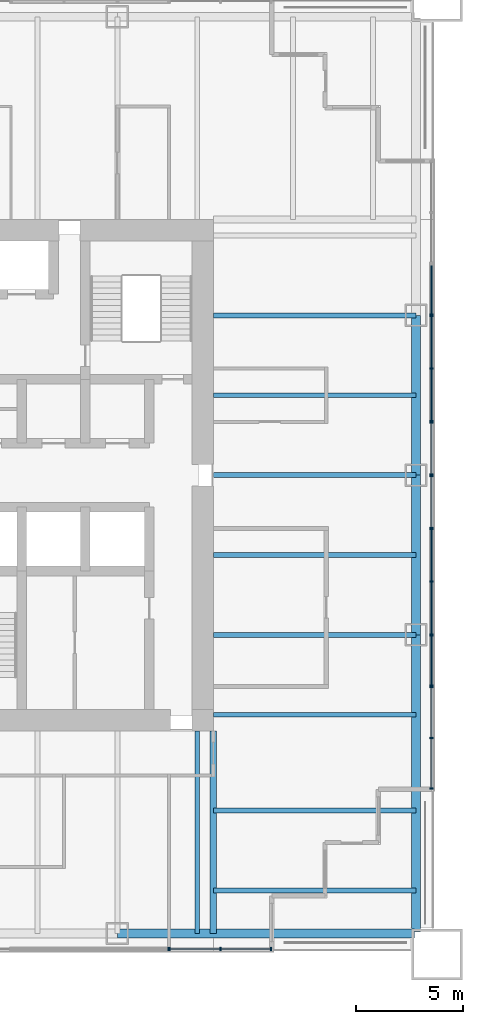
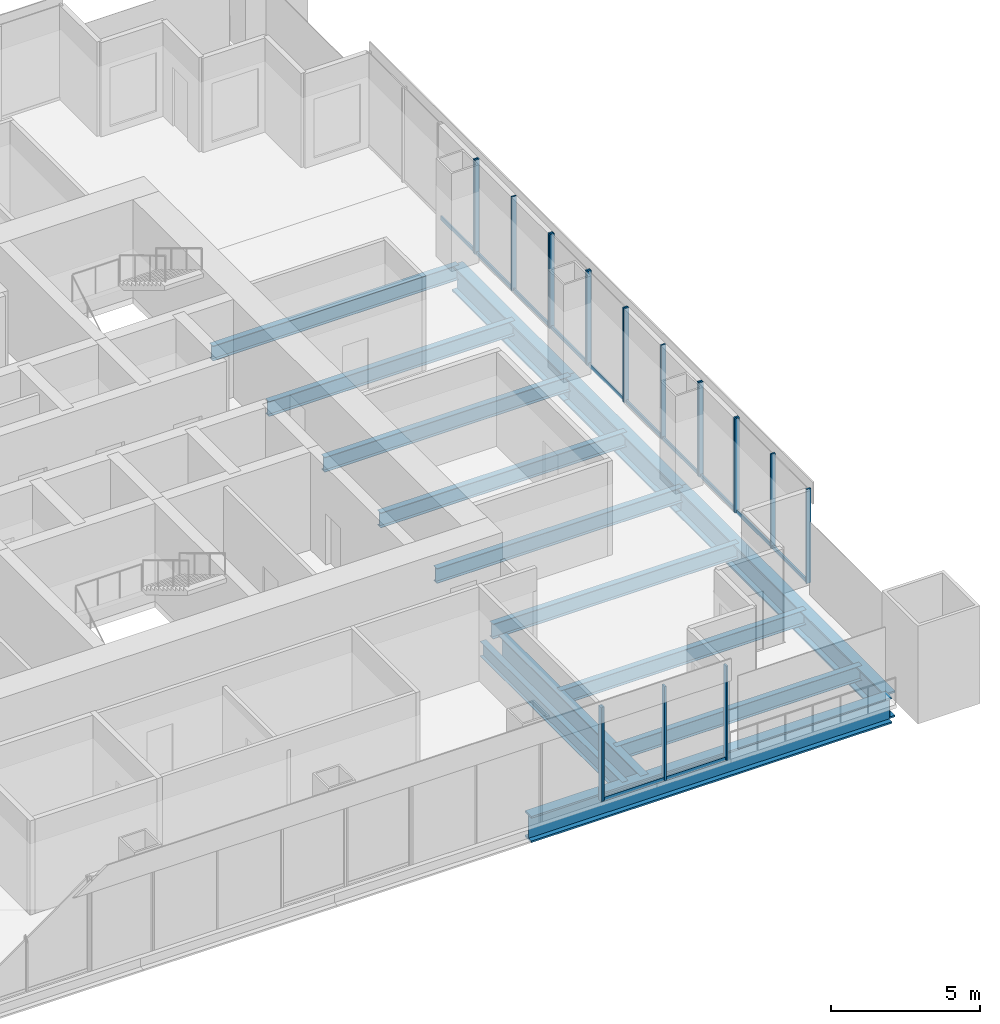
# One storey, part 4 of 13: 32 members, 14 beams, 9 elements without a shape of their own.
"""IFC4 building model written with IfcOpenShell, lengths in metres."""

from ifc_helpers import new_model, si_unit, direction, frame, origin, origin_2d, place, context, subcontext, project, spatial, rectangle, i_section, extrude, material, material_profile, profile_set, type_object, element, aggregate, save


model = new_model("IFC4")

# Units and contexts
model_context = context("Model", 3, precision=1e-05, world=origin(), true_north=direction((0.0, 1.0)))
body_context = subcontext(model_context, "Body", "Model", "MODEL_VIEW")
ifc_project = project(units=[si_unit("LENGTHUNIT", "METRE"), si_unit("AREAUNIT", "SQUARE_METRE"), si_unit("VOLUMEUNIT", "CUBIC_METRE"), si_unit("PLANEANGLEUNIT", "RADIAN"), si_unit("MASSUNIT", "GRAM", prefix="KILO")], contexts=[model_context])

# Site, building, storey
site_placement = place(None, origin())
site = spatial("IfcSite", under=ifc_project, at=site_placement, CompositionType="ELEMENT")
building_placement = place(site_placement, origin())
building = spatial("IfcBuilding", under=site, at=building_placement, Name="Tarangal Relay Tower", CompositionType="ELEMENT")
storey_placement = place(building_placement, frame((0.0, 0.0, 237.89990234375)))
storey = spatial("IfcBuildingStorey", under=building, at=storey_placement, Name="L51", CompositionType="ELEMENT", Elevation=237.89990234375)

# Beams
ifc_material_1 = material(Name="Steel ASTM A992", Category="steel")
ifc_material_profile_1 = material_profile(ifc_material_1, i_section(OverallWidth=0.227783203125, OverallDepth=0.60205078125, WebThickness=0.010498046875, FlangeThickness=0.014892578125, at=origin_2d()), Name="W24X68")
ifc_profile_set_1 = profile_set([ifc_material_profile_1], Name="Steel ASTM A992")
beam_type_1 = type_object("IfcBeamType", Name="Corner beam W24X68", PredefinedType="JOIST", material=ifc_profile_set_1)
for number, where, z_axis, x_axis, name in (
    (1, (12.0, -15.75, -0.450927734375), (1.0, 0.0, 0.0), (0.0, 1.0, 0.0), "Corner beam CB11 E L51"),
    (2, (12.0, -19.5, -0.450927734375), (1.0, 0.0, 0.0), (0.0, 1.0, 0.0), "Corner beam CB11 E L51"),
):
    element("IfcBeam", number, at=place(storey_placement, frame(where, z_axis=z_axis, x_axis=x_axis)), inside=storey, type_object=beam_type_1, Name=name, PredefinedType="JOIST", context=body_context, shape_type="SweptSolid", body=[
        extrude(i_section(OverallWidth=0.227783203125, OverallDepth=0.60205078125, WebThickness=0.010498046875, FlangeThickness=0.014892578125, at=origin_2d()), origin(), (0.0, 0.0, 1.0), 9.514892578125),
    ])
ifc_material_profile_2 = material_profile(ifc_material_1, i_section(OverallWidth=0.307373046875, OverallDepth=0.9423828125, WebThickness=0.022216796875, FlangeThickness=0.039794921875, at=origin_2d()), Name="W36X232")
ifc_profile_set_2 = profile_set([ifc_material_profile_2], Name="Steel ASTM A992")
beam_type_2 = type_object("IfcBeamType", Name="Corner girder W36X232", PredefinedType="BEAM", material=ifc_profile_set_2)
beam_placement = place(storey_placement, frame((12.0, -12.0, -0.62109375), z_axis=(0.0, -1.0, 0.0), x_axis=(1.0, 0.0, 0.0)))
element("IfcBeam", 3, at=beam_placement, inside=storey, type_object=beam_type_2, Name="Corner girder CG4 E L51", PredefinedType="BEAM", context=body_context, shape_type="SweptSolid", body=[
    extrude(i_section(OverallWidth=0.307373046875, OverallDepth=0.9423828125, WebThickness=0.022216796875, FlangeThickness=0.039794921875, at=origin_2d()), origin(), (0.0, 0.0, 1.0), 9.514892578125),
])
ifc_material_profile_3 = material_profile(ifc_material_1, i_section(OverallWidth=0.41650390625, OverallDepth=1.0693359375, WebThickness=0.0390625, FlangeThickness=0.070068359375, at=origin_2d()), Name="W40X503")
ifc_profile_set_3 = profile_set([ifc_material_profile_3], Name="Steel ASTM A992")
beam_type_3 = type_object("IfcBeamType", Name="Edge girder W40X503", PredefinedType="SPANDREL", material=ifc_profile_set_3)
for number, where, z_axis, x_axis, name in (
    (4, (21.514892578125, 7.5, -0.6845703125), (0.0, -1.0, 0.0), (1.0, 0.0, 0.0), "Edge girder EG8 E L51"),
    (5, (21.514892578125, 0.0, -0.6845703125), (0.0, -1.0, 0.0), (1.0, 0.0, 0.0), "Edge girder EG8 E L51"),
):
    element("IfcBeam", number, at=place(storey_placement, frame(where, z_axis=z_axis, x_axis=x_axis)), inside=storey, type_object=beam_type_3, Name=name, PredefinedType="SPANDREL", context=body_context, shape_type="SweptSolid", body=[
        extrude(i_section(OverallWidth=0.41650390625, OverallDepth=1.0693359375, WebThickness=0.0390625, FlangeThickness=0.070068359375, at=origin_2d()), origin(), (0.0, 0.0, 1.0), 7.5),
    ])
for number, where, z_axis, x_axis, name in (
    (6, (21.514892578125, -7.5, -0.6845703125), (0.0, -1.0, 0.0), (1.0, 0.0, 0.0), "Edge girder EG8 E L51"),
    (7, (21.449951171875, -21.514892578125, -0.6845703125), (-1.0, 0.0, 0.0), (0.0, -1.0, 0.0), "Edge girder EG8 S L51"),
):
    element("IfcBeam", number, at=place(storey_placement, frame(where, z_axis=z_axis, x_axis=x_axis)), inside=storey, type_object=beam_type_3, Name=name, PredefinedType="SPANDREL", context=body_context, shape_type="SweptSolid", body=[
        extrude(i_section(OverallWidth=0.41650390625, OverallDepth=1.0693359375, WebThickness=0.0390625, FlangeThickness=0.070068359375, at=origin_2d()), origin(), (0.0, 0.0, 1.0), 13.949951171875),
    ])
ifc_material_profile_4 = material_profile(ifc_material_1, i_section(OverallWidth=0.22900390625, OverallDepth=0.612060546875, WebThickness=0.011962890625, FlangeThickness=0.01953125, at=origin_2d()), Name="W24X84")
ifc_profile_set_4 = profile_set([ifc_material_profile_4], Name="Steel ASTM A992")
beam_type_4 = type_object("IfcBeamType", Name="Floor beam W24X84", PredefinedType="BEAM", material=ifc_profile_set_4)
for number, where, z_axis, x_axis, name in (
    (8, (12.0, 7.5, -0.455810546875), (1.0, 0.0, 0.0), (0.0, 1.0, 0.0), "Floor beam RB12 E L51"),
    (9, (12.0, 3.75, -0.455810546875), (1.0, 0.0, 0.0), (0.0, 1.0, 0.0), "Floor beam RB12 E L51"),
    (10, (12.0, 0.0, -0.455810546875), (1.0, 0.0, 0.0), (0.0, 1.0, 0.0), "Floor beam RB12 E L51"),
    (11, (12.0, -3.75, -0.455810546875), (1.0, 0.0, 0.0), (0.0, 1.0, 0.0), "Floor beam RB12 E L51"),
    (12, (12.0, -7.5, -0.455810546875), (1.0, 0.0, 0.0), (0.0, 1.0, 0.0), "Floor beam RB12 E L51"),
    (13, (12.0, -11.25, -0.455810546875), (1.0, 0.0, 0.0), (0.0, 1.0, 0.0), "Floor beam RB12 E L51"),
    (14, (11.25, -12.0, -0.455810546875), (0.0, -1.0, 0.0), (1.0, 0.0, 0.0), "Floor beam RB12 S L51"),
):
    element("IfcBeam", number, at=place(storey_placement, frame(where, z_axis=z_axis, x_axis=x_axis)), inside=storey, type_object=beam_type_4, Name=name, PredefinedType="BEAM", context=body_context, shape_type="SweptSolid", body=[
        extrude(i_section(OverallWidth=0.22900390625, OverallDepth=0.612060546875, WebThickness=0.011962890625, FlangeThickness=0.01953125, at=origin_2d()), origin(), (0.0, 0.0, 1.0), 9.514892578125),
    ])

# Curtain wall, members
ifc_material_2 = material(Name="Unitised curtain wall, dark glass and black aluminium", Category="aluminium")
curtain_wall_type_1 = type_object("IfcCurtainWallType", Name="Curtain wall CW-A", PredefinedType="USERDEFINED", material=ifc_material_2)
curtain_wall_1_placement = place(storey_placement, origin())
curtain_wall_1 = element("IfcCurtainWall", 15, at=curtain_wall_1_placement, inside=storey, type_object=curtain_wall_type_1, Name="Curtain wall CW-A E facade L51", ObjectType="UNITISED CURTAIN WALL", PredefinedType="USERDEFINED")
ifc_material_3 = material(Name="Black anodised aluminium mullion", Category="aluminium")
ifc_material_profile_5 = material_profile(ifc_material_3, rectangle(XDim=0.175048828125, YDim=0.06494140625, at=origin_2d()), Name="CW-AM 65X175")
ifc_profile_set_5 = profile_set([ifc_material_profile_5], Name="Black anodised aluminium mullion")
member_type_1 = type_object("IfcMemberType", Name="Mullion CW-A 65 x 175", PredefinedType="MULLION", material=ifc_profile_set_5)
member_1_placement = place(storey_placement, frame((22.25, 2.467529296875, 0.0), z_axis=(0.0, 0.0, 1.0), x_axis=(1.0, 0.0, 0.0)))
member_1 = element("IfcMember", 16, at=member_1_placement, type_object=member_type_1, Name="CW-A mullion 1", PredefinedType="MULLION", context=body_context, shape_type="SweptSolid", body=[
    extrude(rectangle(XDim=0.175048828125, YDim=0.06494140625, at=origin_2d()), origin(), (0.0, 0.0, 1.0), 3.85009765625),
])
member_2_placement = place(storey_placement, frame((22.25, 0.032470703125, 0.0), z_axis=(0.0, 0.0, 1.0), x_axis=(1.0, 0.0, 0.0)))
member_2 = element("IfcMember", 17, at=member_2_placement, type_object=member_type_1, Name="CW-A mullion 2", PredefinedType="MULLION", context=body_context, shape_type="SweptSolid", body=[
    extrude(rectangle(XDim=0.175048828125, YDim=0.06494140625, at=origin_2d()), origin(), (0.0, 0.0, 1.0), 3.85009765625),
])

curtain_wall_2_placement = place(storey_placement, origin())
curtain_wall_2 = element("IfcCurtainWall", 18, at=curtain_wall_2_placement, inside=storey, type_object=curtain_wall_type_1, Name="Curtain wall CW-A E facade L51", ObjectType="UNITISED CURTAIN WALL", PredefinedType="USERDEFINED")
member_3_placement = place(storey_placement, frame((22.25, -0.032470703125, 0.0), z_axis=(0.0, 0.0, 1.0), x_axis=(1.0, 0.0, 0.0)))
member_3 = element("IfcMember", 19, at=member_3_placement, type_object=member_type_1, Name="CW-A mullion 1", PredefinedType="MULLION", context=body_context, shape_type="SweptSolid", body=[
    extrude(rectangle(XDim=0.175048828125, YDim=0.06494140625, at=origin_2d()), origin(), (0.0, 0.0, 1.0), 3.85009765625),
])
member_4_placement = place(storey_placement, frame((22.25, -2.467529296875, 0.0), z_axis=(0.0, 0.0, 1.0), x_axis=(1.0, 0.0, 0.0)))
member_4 = element("IfcMember", 20, at=member_4_placement, type_object=member_type_1, Name="CW-A mullion 2", PredefinedType="MULLION", context=body_context, shape_type="SweptSolid", body=[
    extrude(rectangle(XDim=0.175048828125, YDim=0.06494140625, at=origin_2d()), origin(), (0.0, 0.0, 1.0), 3.85009765625),
])

curtain_wall_3_placement = place(storey_placement, origin())
curtain_wall_3 = element("IfcCurtainWall", 21, at=curtain_wall_3_placement, inside=storey, type_object=curtain_wall_type_1, Name="Curtain wall CW-A E facade L51", ObjectType="UNITISED CURTAIN WALL", PredefinedType="USERDEFINED")
member_5_placement = place(storey_placement, frame((22.25, -9.94921875, 0.0), z_axis=(0.0, 0.0, 1.0), x_axis=(1.0, 0.0, 0.0)))
member_5 = element("IfcMember", 22, at=member_5_placement, type_object=member_type_1, Name="CW-A mullion 1", PredefinedType="MULLION", context=body_context, shape_type="SweptSolid", body=[
    extrude(rectangle(XDim=0.175048828125, YDim=0.06494140625, at=origin_2d()), origin(), (0.0, 0.0, 1.0), 3.85009765625),
])
member_6_placement = place(storey_placement, frame((22.25, -12.333251953125, 0.0), z_axis=(0.0, 0.0, 1.0), x_axis=(1.0, 0.0, 0.0)))
member_6 = element("IfcMember", 23, at=member_6_placement, type_object=member_type_1, Name="CW-A mullion 2", PredefinedType="MULLION", context=body_context, shape_type="SweptSolid", body=[
    extrude(rectangle(XDim=0.175048828125, YDim=0.06494140625, at=origin_2d()), origin(), (0.0, 0.0, 1.0), 3.85009765625),
])
member_7_placement = place(storey_placement, frame((22.25, -14.717529296875, 0.0), z_axis=(0.0, 0.0, 1.0), x_axis=(1.0, 0.0, 0.0)))
member_7 = element("IfcMember", 24, at=member_7_placement, type_object=member_type_1, Name="CW-A mullion 3", PredefinedType="MULLION", context=body_context, shape_type="SweptSolid", body=[
    extrude(rectangle(XDim=0.175048828125, YDim=0.06494140625, at=origin_2d()), origin(), (0.0, 0.0, 1.0), 3.85009765625),
])

curtain_wall_4_placement = place(storey_placement, origin())
curtain_wall_4 = element("IfcCurtainWall", 25, at=curtain_wall_4_placement, inside=storey, type_object=curtain_wall_type_1, Name="Curtain wall CW-A S facade L51", ObjectType="UNITISED CURTAIN WALL", PredefinedType="USERDEFINED")
member_8_placement = place(storey_placement, frame((14.717529296875, -22.25, 0.0), z_axis=(0.0, 0.0, 1.0), x_axis=(0.0, -1.0, 0.0)))
member_8 = element("IfcMember", 26, at=member_8_placement, type_object=member_type_1, Name="CW-A mullion 1", PredefinedType="MULLION", context=body_context, shape_type="SweptSolid", body=[
    extrude(rectangle(XDim=0.175048828125, YDim=0.06494140625, at=origin_2d()), origin(), (0.0, 0.0, 1.0), 3.85009765625),
])
member_9_placement = place(storey_placement, frame((12.333251953125, -22.25, 0.0), z_axis=(0.0, 0.0, 1.0), x_axis=(0.0, -1.0, 0.0)))
member_9 = element("IfcMember", 27, at=member_9_placement, type_object=member_type_1, Name="CW-A mullion 2", PredefinedType="MULLION", context=body_context, shape_type="SweptSolid", body=[
    extrude(rectangle(XDim=0.175048828125, YDim=0.06494140625, at=origin_2d()), origin(), (0.0, 0.0, 1.0), 3.85009765625),
])
member_10_placement = place(storey_placement, frame((9.94921875, -22.25, 0.0), z_axis=(0.0, 0.0, 1.0), x_axis=(0.0, -1.0, 0.0)))
member_10 = element("IfcMember", 28, at=member_10_placement, type_object=member_type_1, Name="CW-A mullion 3", PredefinedType="MULLION", context=body_context, shape_type="SweptSolid", body=[
    extrude(rectangle(XDim=0.175048828125, YDim=0.06494140625, at=origin_2d()), origin(), (0.0, 0.0, 1.0), 3.85009765625),
])

# Curtain wall, member
ifc_material_4 = material(Name="Unitised curtain wall frame, black aluminium, with metal clad infill walls", Category="aluminium")
curtain_wall_type_2 = type_object("IfcCurtainWallType", Name="Curtain wall CW-AO", PredefinedType="USERDEFINED", material=ifc_material_4)
curtain_wall_5_placement = place(storey_placement, origin())
curtain_wall_5 = element("IfcCurtainWall", 29, at=curtain_wall_5_placement, inside=storey, type_object=curtain_wall_type_2, Name="Curtain wall CW-AO E facade L51", ObjectType="UNITISED CURTAIN WALL", PredefinedType="USERDEFINED")
ifc_material_profile_6 = material_profile(ifc_material_3, rectangle(XDim=0.175048828125, YDim=0.06494140625, at=origin_2d()), Name="CW-AOM 65X175")
ifc_profile_set_6 = profile_set([ifc_material_profile_6], Name="Black anodised aluminium mullion")
member_type_2 = type_object("IfcMemberType", Name="Mullion CW-AO 65 x 175", PredefinedType="MULLION", material=ifc_profile_set_6)
member_11_placement = place(storey_placement, frame((22.25, 7.532470703125, 0.0), z_axis=(0.0, 0.0, 1.0), x_axis=(1.0, 0.0, 0.0)))
member_11 = element("IfcMember", 30, at=member_11_placement, type_object=member_type_2, Name="CW-AO mullion 2", PredefinedType="MULLION", context=body_context, shape_type="SweptSolid", body=[
    extrude(rectangle(XDim=0.175048828125, YDim=0.06494140625, at=origin_2d()), origin(), (0.0, 0.0, 1.0), 3.85009765625),
])

# Curtain wall, members
curtain_wall_6_placement = place(storey_placement, origin())
curtain_wall_6 = element("IfcCurtainWall", 31, at=curtain_wall_6_placement, inside=storey, type_object=curtain_wall_type_2, Name="Curtain wall CW-AO E facade L51", ObjectType="UNITISED CURTAIN WALL", PredefinedType="USERDEFINED")
member_12_placement = place(storey_placement, frame((22.25, 7.467529296875, 0.0), z_axis=(0.0, 0.0, 1.0), x_axis=(1.0, 0.0, 0.0)))
member_12 = element("IfcMember", 32, at=member_12_placement, type_object=member_type_2, Name="CW-AO mullion 1", PredefinedType="MULLION", context=body_context, shape_type="SweptSolid", body=[
    extrude(rectangle(XDim=0.175048828125, YDim=0.06494140625, at=origin_2d()), origin(), (0.0, 0.0, 1.0), 3.85009765625),
])
member_13_placement = place(storey_placement, frame((22.25, 5.0, 0.0), z_axis=(0.0, 0.0, 1.0), x_axis=(1.0, 0.0, 0.0)))
member_13 = element("IfcMember", 33, at=member_13_placement, type_object=member_type_2, Name="CW-AO mullion 2", PredefinedType="MULLION", context=body_context, shape_type="SweptSolid", body=[
    extrude(rectangle(XDim=0.175048828125, YDim=0.06494140625, at=origin_2d()), origin(), (0.0, 0.0, 1.0), 3.85009765625),
])
member_14_placement = place(storey_placement, frame((22.25, 2.532470703125, 0.0), z_axis=(0.0, 0.0, 1.0), x_axis=(1.0, 0.0, 0.0)))
member_14 = element("IfcMember", 34, at=member_14_placement, type_object=member_type_2, Name="CW-AO mullion 3", PredefinedType="MULLION", context=body_context, shape_type="SweptSolid", body=[
    extrude(rectangle(XDim=0.175048828125, YDim=0.06494140625, at=origin_2d()), origin(), (0.0, 0.0, 1.0), 3.85009765625),
])

curtain_wall_7_placement = place(storey_placement, origin())
curtain_wall_7 = element("IfcCurtainWall", 35, at=curtain_wall_7_placement, inside=storey, type_object=curtain_wall_type_2, Name="Curtain wall CW-AO E facade L51", ObjectType="UNITISED CURTAIN WALL", PredefinedType="USERDEFINED")
member_15_placement = place(storey_placement, frame((22.25, -2.532470703125, 0.0), z_axis=(0.0, 0.0, 1.0), x_axis=(1.0, 0.0, 0.0)))
member_15 = element("IfcMember", 36, at=member_15_placement, type_object=member_type_2, Name="CW-AO mullion 1", PredefinedType="MULLION", context=body_context, shape_type="SweptSolid", body=[
    extrude(rectangle(XDim=0.175048828125, YDim=0.06494140625, at=origin_2d()), origin(), (0.0, 0.0, 1.0), 3.85009765625),
])
member_16_placement = place(storey_placement, frame((22.25, -5.0, 0.0), z_axis=(0.0, 0.0, 1.0), x_axis=(1.0, 0.0, 0.0)))
member_16 = element("IfcMember", 37, at=member_16_placement, type_object=member_type_2, Name="CW-AO mullion 2", PredefinedType="MULLION", context=body_context, shape_type="SweptSolid", body=[
    extrude(rectangle(XDim=0.175048828125, YDim=0.06494140625, at=origin_2d()), origin(), (0.0, 0.0, 1.0), 3.85009765625),
])
member_17_placement = place(storey_placement, frame((22.25, -7.467529296875, 0.0), z_axis=(0.0, 0.0, 1.0), x_axis=(1.0, 0.0, 0.0)))
member_17 = element("IfcMember", 38, at=member_17_placement, type_object=member_type_2, Name="CW-AO mullion 3", PredefinedType="MULLION", context=body_context, shape_type="SweptSolid", body=[
    extrude(rectangle(XDim=0.175048828125, YDim=0.06494140625, at=origin_2d()), origin(), (0.0, 0.0, 1.0), 3.85009765625),
])

curtain_wall_8_placement = place(storey_placement, origin())
curtain_wall_8 = element("IfcCurtainWall", 39, at=curtain_wall_8_placement, inside=storey, type_object=curtain_wall_type_2, Name="Curtain wall CW-AO E facade L51", ObjectType="UNITISED CURTAIN WALL", PredefinedType="USERDEFINED")
member_18_placement = place(storey_placement, frame((22.25, -7.532470703125, 0.0), z_axis=(0.0, 0.0, 1.0), x_axis=(1.0, 0.0, 0.0)))
member_18 = element("IfcMember", 40, at=member_18_placement, type_object=member_type_2, Name="CW-AO mullion 1", PredefinedType="MULLION", context=body_context, shape_type="SweptSolid", body=[
    extrude(rectangle(XDim=0.175048828125, YDim=0.06494140625, at=origin_2d()), origin(), (0.0, 0.0, 1.0), 3.85009765625),
])
member_19_placement = place(storey_placement, frame((22.25, -9.88427734375, 0.0), z_axis=(0.0, 0.0, 1.0), x_axis=(1.0, 0.0, 0.0)))
member_19 = element("IfcMember", 41, at=member_19_placement, type_object=member_type_2, Name="CW-AO mullion 2", PredefinedType="MULLION", context=body_context, shape_type="SweptSolid", body=[
    extrude(rectangle(XDim=0.175048828125, YDim=0.06494140625, at=origin_2d()), origin(), (0.0, 0.0, 1.0), 3.85009765625),
])

# Curtain wall, member
curtain_wall_9_placement = place(storey_placement, origin())
curtain_wall_9 = element("IfcCurtainWall", 42, at=curtain_wall_9_placement, inside=storey, type_object=curtain_wall_type_2, Name="Curtain wall CW-AO S facade L51", ObjectType="UNITISED CURTAIN WALL", PredefinedType="USERDEFINED")
member_20_placement = place(storey_placement, frame((9.88427734375, -22.25, 0.0), z_axis=(0.0, 0.0, 1.0), x_axis=(0.0, -1.0, 0.0)))
member_20 = element("IfcMember", 43, at=member_20_placement, type_object=member_type_2, Name="CW-AO mullion 1", PredefinedType="MULLION", context=body_context, shape_type="SweptSolid", body=[
    extrude(rectangle(XDim=0.175048828125, YDim=0.06494140625, at=origin_2d()), origin(), (0.0, 0.0, 1.0), 3.85009765625),
])
aggregate(curtain_wall_9, [member_20])

# Member
ifc_material_5 = material(Name="Black anodised aluminium transom", Category="aluminium")
ifc_material_profile_7 = material_profile(ifc_material_5, rectangle(XDim=0.06494140625, YDim=0.14990234375, at=origin_2d()), Name="CW-AT 65X150")
ifc_profile_set_7 = profile_set([ifc_material_profile_7], Name="Black anodised aluminium transom")
member_type_3 = type_object("IfcMemberType", Name="Transom CW-A 65 x 150", PredefinedType="USERDEFINED", material=ifc_profile_set_7)
member_21_placement = place(storey_placement, frame((22.25, 2.43505859375, 0.03271484375), z_axis=(0.0, -1.0, 0.0), x_axis=(1.0, 0.0, 0.0)))
member_21 = element("IfcMember", 44, at=member_21_placement, type_object=member_type_3, Name="CW-A transom 1.1", ObjectType="TRANSOM", PredefinedType="USERDEFINED", context=body_context, shape_type="SweptSolid", body=[
    extrude(rectangle(XDim=0.06494140625, YDim=0.14990234375, at=origin_2d()), origin(), (0.0, 0.0, 1.0), 2.3701171875),
])

aggregate(curtain_wall_1, [member_1, member_2, member_21])

member_22_placement = place(storey_placement, frame((22.25, -0.06494140625, 0.03271484375), z_axis=(0.0, -1.0, 0.0), x_axis=(1.0, 0.0, 0.0)))
member_22 = element("IfcMember", 45, at=member_22_placement, type_object=member_type_3, Name="CW-A transom 1.1", ObjectType="TRANSOM", PredefinedType="USERDEFINED", context=body_context, shape_type="SweptSolid", body=[
    extrude(rectangle(XDim=0.06494140625, YDim=0.14990234375, at=origin_2d()), origin(), (0.0, 0.0, 1.0), 2.3701171875),
])

aggregate(curtain_wall_2, [member_3, member_4, member_22])

member_23_placement = place(storey_placement, frame((22.25, -9.981689453125, 0.03271484375), z_axis=(0.0, -1.0, 0.0), x_axis=(1.0, 0.0, 0.0)))
member_23 = element("IfcMember", 46, at=member_23_placement, type_object=member_type_3, Name="CW-A transom 1.1", ObjectType="TRANSOM", PredefinedType="USERDEFINED", context=body_context, shape_type="SweptSolid", body=[
    extrude(rectangle(XDim=0.06494140625, YDim=0.14990234375, at=origin_2d()), origin(), (0.0, 0.0, 1.0), 2.319091796875),
])

member_24_placement = place(storey_placement, frame((22.25, -12.365966796875, 0.03271484375), z_axis=(0.0, -1.0, 0.0), x_axis=(1.0, 0.0, 0.0)))
member_24 = element("IfcMember", 47, at=member_24_placement, type_object=member_type_3, Name="CW-A transom 2.1", ObjectType="TRANSOM", PredefinedType="USERDEFINED", context=body_context, shape_type="SweptSolid", body=[
    extrude(rectangle(XDim=0.06494140625, YDim=0.14990234375, at=origin_2d()), origin(), (0.0, 0.0, 1.0), 2.319091796875),
])

aggregate(curtain_wall_3, [member_5, member_6, member_7, member_23, member_24])

member_25_placement = place(storey_placement, frame((14.68505859375, -22.25, 0.03271484375), z_axis=(-1.0, 0.0, 0.0), x_axis=(0.0, -1.0, 0.0)))
member_25 = element("IfcMember", 48, at=member_25_placement, type_object=member_type_3, Name="CW-A transom 1.1", ObjectType="TRANSOM", PredefinedType="USERDEFINED", context=body_context, shape_type="SweptSolid", body=[
    extrude(rectangle(XDim=0.06494140625, YDim=0.14990234375, at=origin_2d()), origin(), (0.0, 0.0, 1.0), 2.319091796875),
])

member_26_placement = place(storey_placement, frame((12.30078125, -22.25, 0.03271484375), z_axis=(-1.0, 0.0, 0.0), x_axis=(0.0, -1.0, 0.0)))
member_26 = element("IfcMember", 49, at=member_26_placement, type_object=member_type_3, Name="CW-A transom 2.1", ObjectType="TRANSOM", PredefinedType="USERDEFINED", context=body_context, shape_type="SweptSolid", body=[
    extrude(rectangle(XDim=0.06494140625, YDim=0.14990234375, at=origin_2d()), origin(), (0.0, 0.0, 1.0), 2.319091796875),
])

aggregate(curtain_wall_4, [member_8, member_9, member_10, member_25, member_26])

ifc_material_profile_8 = material_profile(ifc_material_5, rectangle(XDim=0.06494140625, YDim=0.14990234375, at=origin_2d()), Name="CW-AOT 65X150")
ifc_profile_set_8 = profile_set([ifc_material_profile_8], Name="Black anodised aluminium transom")
member_type_4 = type_object("IfcMemberType", Name="Transom CW-AO 65 x 150", PredefinedType="USERDEFINED", material=ifc_profile_set_8)
member_27_placement = place(storey_placement, frame((22.25, 9.851806640625, 0.03271484375), z_axis=(0.0, -1.0, 0.0), x_axis=(1.0, 0.0, 0.0)))
member_27 = element("IfcMember", 50, at=member_27_placement, type_object=member_type_4, Name="CW-AO transom 1.1", ObjectType="TRANSOM", PredefinedType="USERDEFINED", context=body_context, shape_type="SweptSolid", body=[
    extrude(rectangle(XDim=0.06494140625, YDim=0.14990234375, at=origin_2d()), origin(), (0.0, 0.0, 1.0), 2.286865234375),
])

aggregate(curtain_wall_5, [member_11, member_27])

member_28_placement = place(storey_placement, frame((22.25, 7.43505859375, 0.03271484375), z_axis=(0.0, -1.0, 0.0), x_axis=(1.0, 0.0, 0.0)))
member_28 = element("IfcMember", 51, at=member_28_placement, type_object=member_type_4, Name="CW-AO transom 1.1", ObjectType="TRANSOM", PredefinedType="USERDEFINED", context=body_context, shape_type="SweptSolid", body=[
    extrude(rectangle(XDim=0.06494140625, YDim=0.14990234375, at=origin_2d()), origin(), (0.0, 0.0, 1.0), 2.402587890625),
])

member_29_placement = place(storey_placement, frame((22.25, 4.967529296875, 0.03271484375), z_axis=(0.0, -1.0, 0.0), x_axis=(1.0, 0.0, 0.0)))
member_29 = element("IfcMember", 52, at=member_29_placement, type_object=member_type_4, Name="CW-AO transom 2.1", ObjectType="TRANSOM", PredefinedType="USERDEFINED", context=body_context, shape_type="SweptSolid", body=[
    extrude(rectangle(XDim=0.06494140625, YDim=0.14990234375, at=origin_2d()), origin(), (0.0, 0.0, 1.0), 2.402587890625),
])

aggregate(curtain_wall_6, [member_12, member_13, member_14, member_28, member_29])

member_30_placement = place(storey_placement, frame((22.25, -2.56494140625, 0.03271484375), z_axis=(0.0, -1.0, 0.0), x_axis=(1.0, 0.0, 0.0)))
member_30 = element("IfcMember", 53, at=member_30_placement, type_object=member_type_4, Name="CW-AO transom 1.1", ObjectType="TRANSOM", PredefinedType="USERDEFINED", context=body_context, shape_type="SweptSolid", body=[
    extrude(rectangle(XDim=0.06494140625, YDim=0.14990234375, at=origin_2d()), origin(), (0.0, 0.0, 1.0), 2.402587890625),
])

member_31_placement = place(storey_placement, frame((22.25, -5.032470703125, 0.03271484375), z_axis=(0.0, -1.0, 0.0), x_axis=(1.0, 0.0, 0.0)))
member_31 = element("IfcMember", 54, at=member_31_placement, type_object=member_type_4, Name="CW-AO transom 2.1", ObjectType="TRANSOM", PredefinedType="USERDEFINED", context=body_context, shape_type="SweptSolid", body=[
    extrude(rectangle(XDim=0.06494140625, YDim=0.14990234375, at=origin_2d()), origin(), (0.0, 0.0, 1.0), 2.402587890625),
])

aggregate(curtain_wall_7, [member_15, member_16, member_17, member_30, member_31])

member_32_placement = place(storey_placement, frame((22.25, -7.56494140625, 0.03271484375), z_axis=(0.0, -1.0, 0.0), x_axis=(1.0, 0.0, 0.0)))
member_32 = element("IfcMember", 55, at=member_32_placement, type_object=member_type_4, Name="CW-AO transom 1.1", ObjectType="TRANSOM", PredefinedType="USERDEFINED", context=body_context, shape_type="SweptSolid", body=[
    extrude(rectangle(XDim=0.06494140625, YDim=0.14990234375, at=origin_2d()), origin(), (0.0, 0.0, 1.0), 2.286865234375),
])

aggregate(curtain_wall_8, [member_18, member_19, member_32])

save(model, "model.ifc")
